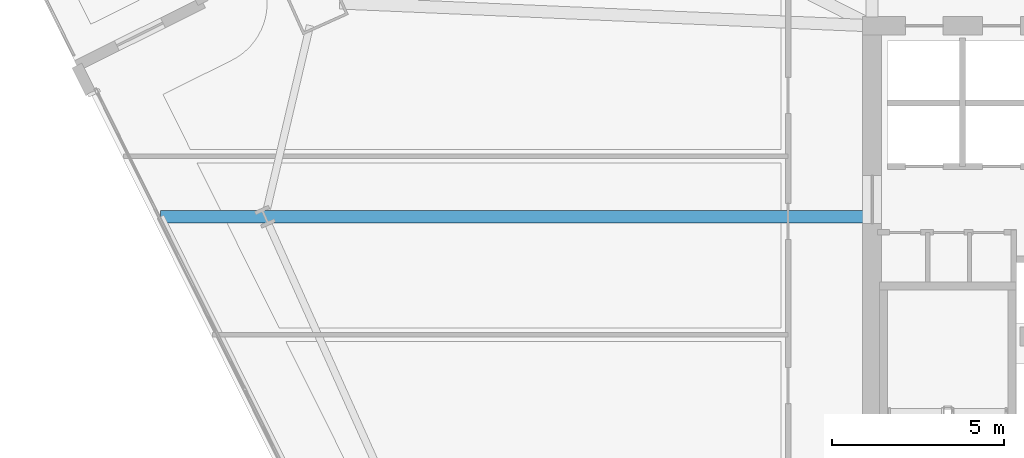
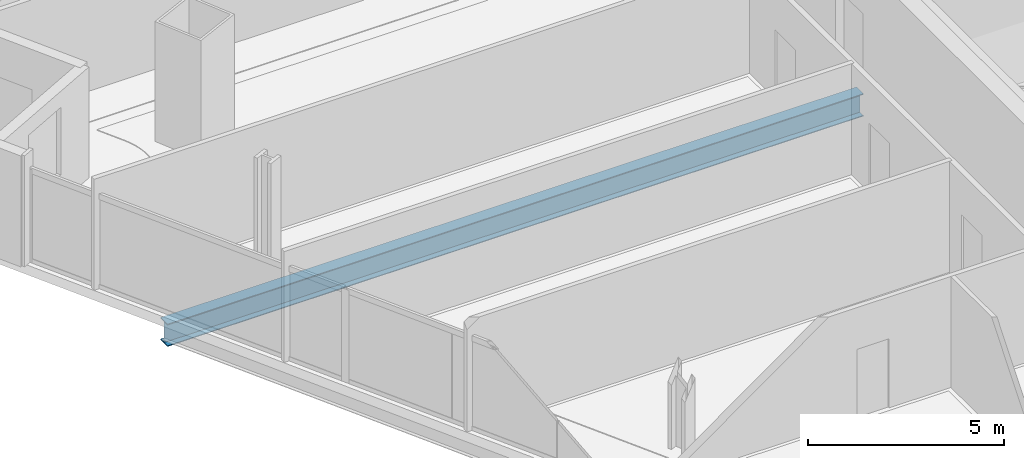
# One storey, part 14 of 35: 1 beam.
"""IFC4 building model written with IfcOpenShell, lengths in metres."""

import ifcopenshell
import ifcopenshell.guid

model = None  # the IFC model being written
_history = None  # IfcOwnerHistory: only IFC2X3 demands one
_inside = {}  # id of a spatial element -> (the spatial element, [elements in it])
_under = {}  # id of a project, library or spatial element -> (it, [spatial elements below it])
_declared = {}  # id of a project -> (the project, [libraries it declares])
_typed = {}  # id of a type object -> (the type object, [elements of that type])
_made_of = {}  # id of a material, layer set ... -> (it, [elements and type objects made of it])


def new_model(schema):
    """Start an empty IFC model of exactly this schema.

    Asked for "IFC4X3", IfcOpenShell would pick the latest addendum, in which some entities
    have other attributes; the version numbers below select the first issue.
    IFC2X3 requires an IfcOwnerHistory on every rooted entity: one is made here for all.
    """
    global model, _history
    if schema == "IFC4X3":
        model = ifcopenshell.file(schema_version=(4, 3, 0, 0))
    else:
        model = ifcopenshell.file(schema=schema)
    _inside.clear()
    _under.clear()
    _declared.clear()
    _typed.clear()
    _made_of.clear()
    _history = None
    if model.schema == "IFC2X3":
        org = make("IfcOrganization", Name="unknown")
        user = make(
            "IfcPersonAndOrganization",
            ThePerson=make("IfcPerson", FamilyName="unknown"),
            TheOrganization=org,
        )
        app = make(
            "IfcApplication",
            ApplicationDeveloper=org,
            Version="unknown",
            ApplicationFullName="unknown",
            ApplicationIdentifier="unknown",
        )
        _history = make(
            "IfcOwnerHistory",
            OwningUser=user,
            OwningApplication=app,
            ChangeAction="ADDED",
            CreationDate=0,
        )
    return model


def make(cls, **values):
    """One entity of the class cls with the attributes given. An attribute that is None is left unset."""
    return model.create_entity(
        cls, **{name: value for name, value in values.items() if value is not None}
    )


def rooted(cls, **values):
    """An entity with a GlobalId (a new one), such as an element, a storey or a relation."""
    return make(cls, GlobalId=ifcopenshell.guid.new(), OwnerHistory=_history, **values)


def si_unit(unit_type, name, prefix=None):
    """IfcSIUnit, for example si_unit("LENGTHUNIT", "METRE", prefix="MILLI")."""
    return make("IfcSIUnit", UnitType=unit_type, Prefix=prefix, Name=name)


def assignment(units):
    """IfcUnitAssignment: the units of a project."""
    return None if units is None else make("IfcUnitAssignment", Units=units)


def point(xyz):
    """IfcCartesianPoint."""
    return None if xyz is None else make("IfcCartesianPoint", Coordinates=xyz)


def direction(xyz):
    """IfcDirection."""
    return None if xyz is None else make("IfcDirection", DirectionRatios=xyz)


def frame(location, z_axis=None, x_axis=None):
    """IfcAxis2Placement3D, a coordinate frame: its origin and axes. An axis left out is left unset."""
    return make(
        "IfcAxis2Placement3D",
        Location=point(location),
        Axis=direction(z_axis),
        RefDirection=direction(x_axis),
    )


def frame_2d(location, x_axis=None):
    """IfcAxis2Placement2D, a coordinate frame in the plane: its origin and x axis."""
    return make(
        "IfcAxis2Placement2D", Location=point(location), RefDirection=direction(x_axis)
    )


def origin():
    """The frame at (0, 0, 0) with its axes left unset."""
    return frame((0.0, 0.0, 0.0))


def origin_2d():
    """The frame at (0, 0) in the plane with its x axis left unset."""
    return frame_2d((0.0, 0.0))


def place(relative_to, where):
    """IfcLocalPlacement: puts the frame where relative to a parent placement (None: the world)."""
    return make(
        "IfcLocalPlacement", PlacementRelTo=relative_to, RelativePlacement=where
    )


def context(
    kind, dimensions, precision=None, world=None, true_north=None, identifier=None
):
    """IfcGeometricRepresentationContext, for example the 3D "Model" context."""
    return make(
        "IfcGeometricRepresentationContext",
        ContextIdentifier=identifier,
        ContextType=kind,
        CoordinateSpaceDimension=dimensions,
        Precision=precision,
        WorldCoordinateSystem=world,
        TrueNorth=true_north,
    )


def subcontext(parent, identifier, kind, view, scale=None):
    """IfcGeometricRepresentationSubContext, for example "Body" below "Model"."""
    return make(
        "IfcGeometricRepresentationSubContext",
        ContextIdentifier=identifier,
        ContextType=kind,
        ParentContext=parent,
        TargetScale=scale,
        TargetView=view,
    )


def project(units=None, contexts=None):
    """IfcProject with its units and contexts."""
    return rooted(
        "IfcProject",
        Name="project",
        RepresentationContexts=contexts,
        UnitsInContext=assignment(units),
    )


def spatial(cls, under=None, at=None, **own):
    """A site, building, storey or space (cls), placed at a placement, below another one or the project."""
    s = rooted(cls, ObjectPlacement=at, **own)
    if under is not None:
        _under.setdefault(under.id(), (under, []))[1].append(s)
    return s


def profile(cls, at=None, kind="AREA", **sizes):
    """A parametric profile (cls). Its sizes go by their IFC names, for example OverallWidth=200.0."""
    return make(cls, ProfileType=kind, Position=at, **sizes)


def i_section(**sizes):
    """IfcIShapeProfileDef."""
    return profile("IfcIShapeProfileDef", **sizes)


def extrude(swept, where, along, depth):
    """IfcExtrudedAreaSolid: the profile swept, set in the frame where, extruded along a direction by depth."""
    return make(
        "IfcExtrudedAreaSolid",
        SweptArea=swept,
        Position=where,
        ExtrudedDirection=direction(along),
        Depth=depth,
    )


def shape(context_of_items, identifier, shape_type, items):
    """IfcShapeRepresentation: the items that make up one representation, for example the "Body"."""
    return make(
        "IfcShapeRepresentation",
        ContextOfItems=context_of_items,
        RepresentationIdentifier=identifier,
        RepresentationType=shape_type,
        Items=items,
    )


def material(Name=None, Category=None):
    """IfcMaterial."""
    return make("IfcMaterial", Name=Name, Category=Category)


def material_profile(
    of_material, cross_section, Name=None, Category=None, Priority=None
):
    """IfcMaterialProfile: a cross section and its material."""
    return make(
        "IfcMaterialProfile",
        Name=Name,
        Material=of_material,
        Profile=cross_section,
        Priority=Priority,
        Category=Category,
    )


def profile_set(profiles, Name=None, composite=None):
    """IfcMaterialProfileSet."""
    return make(
        "IfcMaterialProfileSet",
        Name=Name,
        MaterialProfiles=profiles,
        CompositeProfile=composite,
    )


def made_of(thing, what):
    """Note that an element or type object is made of a material, layer set ...; save() writes the relation."""
    if what is not None:
        _made_of.setdefault(what.id(), (what, []))[1].append(thing)
    return thing


def type_object(cls, material=None, **own):
    """A type object (cls), such as IfcWallType, which elements share."""
    return made_of(rooted(cls, **own), material)


def element(
    cls,
    number,
    at=None,
    inside=None,
    cuts=None,
    type_object=None,
    material=None,
    context=None,
    identifier="Body",
    shape_type=None,
    held_by="IfcProductDefinitionShape",
    body=None,
    shapes=None,
    **own,
):
    """One element of the class cls, such as IfcWall. Its Tag is "e" and its number.

    at: its placement. inside: the storey or other place that contains it. cuts: it is an
    opening in that element (IfcRelVoidsElement). A single representation is given by context,
    identifier, shape_type and body (its items); several are given by shapes. held_by: the class
    of the entity that holds the representations. save() writes the other relations.
    """
    e = rooted(cls, Tag="e%d" % number, ObjectPlacement=at, **own)
    if body is not None:
        shapes = [shape(context, identifier, shape_type, body)]
    if shapes is not None:
        e.Representation = make(held_by, Representations=shapes)
    if inside is not None:
        _inside.setdefault(inside.id(), (inside, []))[1].append(e)
    if cuts is not None:
        rooted(
            "IfcRelVoidsElement", RelatingBuildingElement=cuts, RelatedOpeningElement=e
        )
    if type_object is not None:
        _typed.setdefault(type_object.id(), (type_object, []))[1].append(e)
    return made_of(e, material)


def aggregate(whole, parts):
    """IfcRelAggregates: a whole, such as a stair, and the parts it consists of."""
    return rooted("IfcRelAggregates", RelatingObject=whole, RelatedObjects=parts)


def save(model, path):
    """Write the relations noted so far, then the file.

    IfcRelAggregates (storeys below a building ...), IfcRelContainedInSpatialStructure (elements
    in a storey), IfcRelDefinesByType, IfcRelAssociatesMaterial and IfcRelDeclares: one each for
    every whole, place, type object, material and project.
    """
    for whole, parts in _under.values():
        aggregate(whole, parts)
    for where, things in _inside.values():
        rooted(
            "IfcRelContainedInSpatialStructure",
            RelatedElements=things,
            RelatingStructure=where,
        )
    for kind, things in _typed.values():
        rooted("IfcRelDefinesByType", RelatedObjects=things, RelatingType=kind)
    for what, things in _made_of.values():
        rooted("IfcRelAssociatesMaterial", RelatedObjects=things, RelatingMaterial=what)
    for by, libraries in _declared.values():
        rooted("IfcRelDeclares", RelatingContext=by, RelatedDefinitions=libraries)
    model.write(path)


model = new_model("IFC4")

# Units and contexts
model_context = context("Model", 3, precision=1e-05, world=origin(), true_north=direction((0.0, 1.0)))
body_context = subcontext(model_context, "Body", "Model", "MODEL_VIEW")
ifc_project = project(units=[si_unit("LENGTHUNIT", "METRE"), si_unit("AREAUNIT", "SQUARE_METRE"), si_unit("VOLUMEUNIT", "CUBIC_METRE"), si_unit("PLANEANGLEUNIT", "RADIAN"), si_unit("MASSUNIT", "GRAM", prefix="KILO")], contexts=[model_context])

# Site, building, storey
site_placement = place(None, origin())
site = spatial("IfcSite", under=ifc_project, at=site_placement, CompositionType="ELEMENT")
building_placement = place(site_placement, origin())
building = spatial("IfcBuilding", under=site, at=building_placement, Name="Haldenkirk Collegiate Tower", CompositionType="ELEMENT")
storey_placement = place(building_placement, frame((0.0, 0.0, 116.699951171875)))
storey = spatial("IfcBuildingStorey", under=building, at=storey_placement, Name="L28", CompositionType="ELEMENT", Elevation=116.699951171875)

# Beam
ifc_material = material(Name="Steel ASTM A992 Grade 50", Category="steel")
ifc_material_profile = material_profile(ifc_material, i_section(OverallWidth=0.35498046875, OverallDepth=0.696044921875, WebThickness=0.015380859375, FlangeThickness=0.02490234375, at=origin_2d()), Name="W27X146")
ifc_profile_set = profile_set([ifc_material_profile], Name="Steel ASTM A992 Grade 50")
beam_type = type_object("IfcBeamType", Name="BM-GIRDER-W27X146", PredefinedType="BEAM", material=ifc_profile_set)
beam_placement = place(storey_placement, frame((6.27294921875, 28.436767578125, -0.64794921875), z_axis=(1.0, 0.0, 0.0), x_axis=(0.0, 1.0, 0.0)))
element("IfcBeam", 1, at=beam_placement, inside=storey, type_object=beam_type, Name="L28 primary floor girder 14", PredefinedType="BEAM", context=body_context, shape_type="SweptSolid", body=[
    extrude(i_section(OverallWidth=0.35498046875, OverallDepth=0.696044921875, WebThickness=0.015380859375, FlangeThickness=0.02490234375, at=origin_2d()), origin(), (0.0, 0.0, 1.0), 20.47216796875),
])

save(model, "model.ifc")
